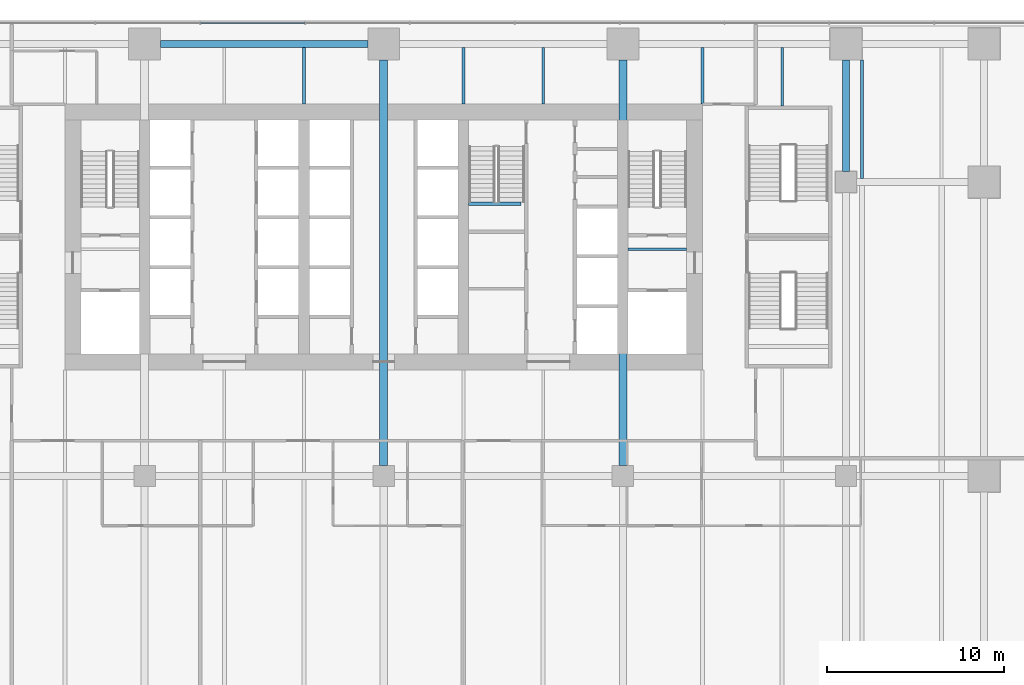
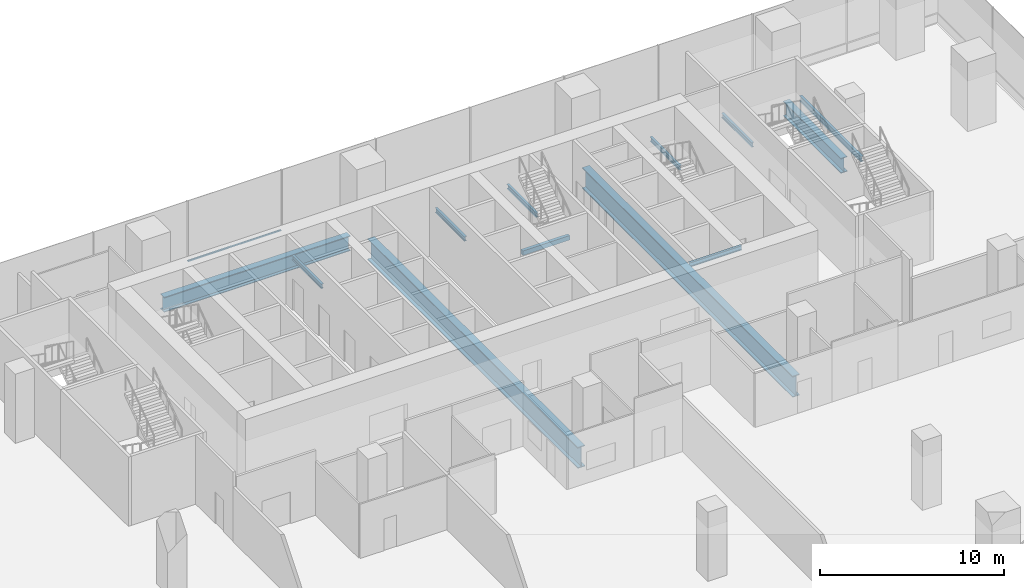
# One storey, part 12 of 29: 12 beams, 1 member, 1 element without a shape of its own.
"""IFC4 building model written with IfcOpenShell, lengths in metres."""

import ifcopenshell
import ifcopenshell.guid

model = None  # the IFC model being written
_history = None  # IfcOwnerHistory: only IFC2X3 demands one
_inside = {}  # id of a spatial element -> (the spatial element, [elements in it])
_under = {}  # id of a project, library or spatial element -> (it, [spatial elements below it])
_declared = {}  # id of a project -> (the project, [libraries it declares])
_typed = {}  # id of a type object -> (the type object, [elements of that type])
_made_of = {}  # id of a material, layer set ... -> (it, [elements and type objects made of it])


def new_model(schema):
    """Start an empty IFC model of exactly this schema.

    Asked for "IFC4X3", IfcOpenShell would pick the latest addendum, in which some entities
    have other attributes; the version numbers below select the first issue.
    IFC2X3 requires an IfcOwnerHistory on every rooted entity: one is made here for all.
    """
    global model, _history
    if schema == "IFC4X3":
        model = ifcopenshell.file(schema_version=(4, 3, 0, 0))
    else:
        model = ifcopenshell.file(schema=schema)
    _inside.clear()
    _under.clear()
    _declared.clear()
    _typed.clear()
    _made_of.clear()
    _history = None
    if model.schema == "IFC2X3":
        org = make("IfcOrganization", Name="unknown")
        user = make(
            "IfcPersonAndOrganization",
            ThePerson=make("IfcPerson", FamilyName="unknown"),
            TheOrganization=org,
        )
        app = make(
            "IfcApplication",
            ApplicationDeveloper=org,
            Version="unknown",
            ApplicationFullName="unknown",
            ApplicationIdentifier="unknown",
        )
        _history = make(
            "IfcOwnerHistory",
            OwningUser=user,
            OwningApplication=app,
            ChangeAction="ADDED",
            CreationDate=0,
        )
    return model


def make(cls, **values):
    """One entity of the class cls with the attributes given. An attribute that is None is left unset."""
    return model.create_entity(
        cls, **{name: value for name, value in values.items() if value is not None}
    )


def rooted(cls, **values):
    """An entity with a GlobalId (a new one), such as an element, a storey or a relation."""
    return make(cls, GlobalId=ifcopenshell.guid.new(), OwnerHistory=_history, **values)


def si_unit(unit_type, name, prefix=None):
    """IfcSIUnit, for example si_unit("LENGTHUNIT", "METRE", prefix="MILLI")."""
    return make("IfcSIUnit", UnitType=unit_type, Prefix=prefix, Name=name)


def assignment(units):
    """IfcUnitAssignment: the units of a project."""
    return None if units is None else make("IfcUnitAssignment", Units=units)


def point(xyz):
    """IfcCartesianPoint."""
    return None if xyz is None else make("IfcCartesianPoint", Coordinates=xyz)


def direction(xyz):
    """IfcDirection."""
    return None if xyz is None else make("IfcDirection", DirectionRatios=xyz)


def frame(location, z_axis=None, x_axis=None):
    """IfcAxis2Placement3D, a coordinate frame: its origin and axes. An axis left out is left unset."""
    return make(
        "IfcAxis2Placement3D",
        Location=point(location),
        Axis=direction(z_axis),
        RefDirection=direction(x_axis),
    )


def frame_2d(location, x_axis=None):
    """IfcAxis2Placement2D, a coordinate frame in the plane: its origin and x axis."""
    return make(
        "IfcAxis2Placement2D", Location=point(location), RefDirection=direction(x_axis)
    )


def origin():
    """The frame at (0, 0, 0) with its axes left unset."""
    return frame((0.0, 0.0, 0.0))


def origin_2d():
    """The frame at (0, 0) in the plane with its x axis left unset."""
    return frame_2d((0.0, 0.0))


def place(relative_to, where):
    """IfcLocalPlacement: puts the frame where relative to a parent placement (None: the world)."""
    return make(
        "IfcLocalPlacement", PlacementRelTo=relative_to, RelativePlacement=where
    )


def context(
    kind, dimensions, precision=None, world=None, true_north=None, identifier=None
):
    """IfcGeometricRepresentationContext, for example the 3D "Model" context."""
    return make(
        "IfcGeometricRepresentationContext",
        ContextIdentifier=identifier,
        ContextType=kind,
        CoordinateSpaceDimension=dimensions,
        Precision=precision,
        WorldCoordinateSystem=world,
        TrueNorth=true_north,
    )


def subcontext(parent, identifier, kind, view, scale=None):
    """IfcGeometricRepresentationSubContext, for example "Body" below "Model"."""
    return make(
        "IfcGeometricRepresentationSubContext",
        ContextIdentifier=identifier,
        ContextType=kind,
        ParentContext=parent,
        TargetScale=scale,
        TargetView=view,
    )


def project(units=None, contexts=None):
    """IfcProject with its units and contexts."""
    return rooted(
        "IfcProject",
        Name="project",
        RepresentationContexts=contexts,
        UnitsInContext=assignment(units),
    )


def spatial(cls, under=None, at=None, **own):
    """A site, building, storey or space (cls), placed at a placement, below another one or the project."""
    s = rooted(cls, ObjectPlacement=at, **own)
    if under is not None:
        _under.setdefault(under.id(), (under, []))[1].append(s)
    return s


def profile(cls, at=None, kind="AREA", **sizes):
    """A parametric profile (cls). Its sizes go by their IFC names, for example OverallWidth=200.0."""
    return make(cls, ProfileType=kind, Position=at, **sizes)


def rectangle(**sizes):
    """IfcRectangleProfileDef."""
    return profile("IfcRectangleProfileDef", **sizes)


def i_section(**sizes):
    """IfcIShapeProfileDef."""
    return profile("IfcIShapeProfileDef", **sizes)


def extrude(swept, where, along, depth):
    """IfcExtrudedAreaSolid: the profile swept, set in the frame where, extruded along a direction by depth."""
    return make(
        "IfcExtrudedAreaSolid",
        SweptArea=swept,
        Position=where,
        ExtrudedDirection=direction(along),
        Depth=depth,
    )


def shape(context_of_items, identifier, shape_type, items):
    """IfcShapeRepresentation: the items that make up one representation, for example the "Body"."""
    return make(
        "IfcShapeRepresentation",
        ContextOfItems=context_of_items,
        RepresentationIdentifier=identifier,
        RepresentationType=shape_type,
        Items=items,
    )


def material(Name=None, Category=None):
    """IfcMaterial."""
    return make("IfcMaterial", Name=Name, Category=Category)


def layer(
    of_material, thickness, ventilated=None, Name=None, Category=None, Priority=None
):
    """IfcMaterialLayer: one layer of a wall or slab, of a material (None: an air gap)."""
    return make(
        "IfcMaterialLayer",
        Material=of_material,
        LayerThickness=thickness,
        IsVentilated=ventilated,
        Name=Name,
        Category=Category,
        Priority=Priority,
    )


def layer_set(layers, Name=None):
    """IfcMaterialLayerSet."""
    return make("IfcMaterialLayerSet", MaterialLayers=layers, LayerSetName=Name)


def material_profile(
    of_material, cross_section, Name=None, Category=None, Priority=None
):
    """IfcMaterialProfile: a cross section and its material."""
    return make(
        "IfcMaterialProfile",
        Name=Name,
        Material=of_material,
        Profile=cross_section,
        Priority=Priority,
        Category=Category,
    )


def profile_set(profiles, Name=None, composite=None):
    """IfcMaterialProfileSet."""
    return make(
        "IfcMaterialProfileSet",
        Name=Name,
        MaterialProfiles=profiles,
        CompositeProfile=composite,
    )


def made_of(thing, what):
    """Note that an element or type object is made of a material, layer set ...; save() writes the relation."""
    if what is not None:
        _made_of.setdefault(what.id(), (what, []))[1].append(thing)
    return thing


def type_object(cls, material=None, **own):
    """A type object (cls), such as IfcWallType, which elements share."""
    return made_of(rooted(cls, **own), material)


def element(
    cls,
    number,
    at=None,
    inside=None,
    cuts=None,
    type_object=None,
    material=None,
    context=None,
    identifier="Body",
    shape_type=None,
    held_by="IfcProductDefinitionShape",
    body=None,
    shapes=None,
    **own,
):
    """One element of the class cls, such as IfcWall. Its Tag is "e" and its number.

    at: its placement. inside: the storey or other place that contains it. cuts: it is an
    opening in that element (IfcRelVoidsElement). A single representation is given by context,
    identifier, shape_type and body (its items); several are given by shapes. held_by: the class
    of the entity that holds the representations. save() writes the other relations.
    """
    e = rooted(cls, Tag="e%d" % number, ObjectPlacement=at, **own)
    if body is not None:
        shapes = [shape(context, identifier, shape_type, body)]
    if shapes is not None:
        e.Representation = make(held_by, Representations=shapes)
    if inside is not None:
        _inside.setdefault(inside.id(), (inside, []))[1].append(e)
    if cuts is not None:
        rooted(
            "IfcRelVoidsElement", RelatingBuildingElement=cuts, RelatedOpeningElement=e
        )
    if type_object is not None:
        _typed.setdefault(type_object.id(), (type_object, []))[1].append(e)
    return made_of(e, material)


def aggregate(whole, parts):
    """IfcRelAggregates: a whole, such as a stair, and the parts it consists of."""
    return rooted("IfcRelAggregates", RelatingObject=whole, RelatedObjects=parts)


def save(model, path):
    """Write the relations noted so far, then the file.

    IfcRelAggregates (storeys below a building ...), IfcRelContainedInSpatialStructure (elements
    in a storey), IfcRelDefinesByType, IfcRelAssociatesMaterial and IfcRelDeclares: one each for
    every whole, place, type object, material and project.
    """
    for whole, parts in _under.values():
        aggregate(whole, parts)
    for where, things in _inside.values():
        rooted(
            "IfcRelContainedInSpatialStructure",
            RelatedElements=things,
            RelatingStructure=where,
        )
    for kind, things in _typed.values():
        rooted("IfcRelDefinesByType", RelatedObjects=things, RelatingType=kind)
    for what, things in _made_of.values():
        rooted("IfcRelAssociatesMaterial", RelatedObjects=things, RelatingMaterial=what)
    for by, libraries in _declared.values():
        rooted("IfcRelDeclares", RelatingContext=by, RelatedDefinitions=libraries)
    model.write(path)


model = new_model("IFC4")

# Units and contexts
model_context = context("Model", 3, precision=1e-05, world=origin(), true_north=direction((0.0, 1.0)))
body_context = subcontext(model_context, "Body", "Model", "MODEL_VIEW")
ifc_project = project(units=[si_unit("LENGTHUNIT", "METRE"), si_unit("AREAUNIT", "SQUARE_METRE"), si_unit("VOLUMEUNIT", "CUBIC_METRE"), si_unit("PLANEANGLEUNIT", "RADIAN"), si_unit("MASSUNIT", "GRAM", prefix="KILO")], contexts=[model_context])

# Site, building, storey
site_placement = place(None, origin())
site = spatial("IfcSite", under=ifc_project, at=site_placement, CompositionType="ELEMENT")
building_placement = place(site_placement, origin())
building = spatial("IfcBuilding", under=site, at=building_placement, Name="Rattan Terrace Tower", CompositionType="ELEMENT")
storey_placement = place(building_placement, frame((0.0, 0.0, 12.60009765625)))
storey = spatial("IfcBuildingStorey", under=building, at=storey_placement, Name="L02", CompositionType="ELEMENT", Elevation=12.60009765625)

# Beams
ifc_material_1 = material(Name="Concrete C40/50", Category="concrete")
ifc_material_profile_1 = material_profile(ifc_material_1, rectangle(XDim=0.199951171875, YDim=0.300048828125, at=origin_2d()), Name="RC 200x300")
ifc_profile_set_1 = profile_set([ifc_material_profile_1], Name="Concrete C40/50")
beam_type_1 = type_object("IfcBeamType", Name="Core landing beam RC 200x300", PredefinedType="BEAM", material=ifc_profile_set_1)
beam_1_placement = place(storey_placement, frame((4.800048828125, 1.8798828125, 2.0498046875), z_axis=(1.0, 0.0, 0.0), x_axis=(0.0, 1.0, 0.0)))
element("IfcBeam", 1, at=beam_1_placement, inside=storey, type_object=beam_type_1, Name="st-S3-L02 landing 1 edge beam", PredefinedType="BEAM", context=body_context, shape_type="SweptSolid", body=[
    extrude(rectangle(XDim=0.199951171875, YDim=0.300048828125, at=origin_2d()), origin(), (0.0, 0.0, 1.0), 2.949951171875),
])
ifc_material_2 = material(Name="Steel S355", Category="steel")
ifc_material_profile_2 = material_profile(ifc_material_2, i_section(OverallWidth=0.14990234375, OverallDepth=0.300048828125, WebThickness=0.007080078125, FlangeThickness=0.0107421875, FilletRadius=0.014892578125, at=origin_2d()), Name="IPE 300")
ifc_profile_set_2 = profile_set([ifc_material_profile_2], Name="Steel S355")
beam_type_2 = type_object("IfcBeamType", Name="Frame floor beam IPE 300", PredefinedType="JOIST", material=ifc_profile_set_2)
for number, where, z_axis, x_axis, name in (
    (2, (13.800048828125, -0.695068359375, -0.35009765625), (1.0, 0.0, 0.0), (0.0, 1.0, 0.0), "bm-L02-002"),
    (3, (22.5, 7.39990234375, -0.35009765625), (0.0, 1.0, 0.0), (-1.0, 0.0, 0.0), "bm-L02-044"),
):
    element("IfcBeam", number, at=place(storey_placement, frame(where, z_axis=z_axis, x_axis=x_axis)), inside=storey, type_object=beam_type_2, Name=name, PredefinedType="JOIST", context=body_context, shape_type="SweptSolid", body=[
        extrude(i_section(OverallWidth=0.14990234375, OverallDepth=0.300048828125, WebThickness=0.007080078125, FlangeThickness=0.0107421875, FilletRadius=0.014892578125, at=origin_2d()), origin(), (0.0, 0.0, 1.0), 3.300048828125),
    ])
for number, where, z_axis, x_axis, name in (
    (4, (-4.5, 7.5, -0.35009765625), (0.0, 1.0, 0.0), (-1.0, 0.0, 0.0), "bm-L02-047"),
    (5, (4.5, 7.5, -0.35009765625), (0.0, 1.0, 0.0), (-1.0, 0.0, 0.0), "bm-L02-048"),
    (6, (9.0, 7.5, -0.35009765625), (0.0, 1.0, 0.0), (-1.0, 0.0, 0.0), "bm-L02-049"),
    (7, (18.0, 7.5, -0.35009765625), (0.0, 1.0, 0.0), (-1.0, 0.0, 0.0), "bm-L02-050"),
):
    element("IfcBeam", number, at=place(storey_placement, frame(where, z_axis=z_axis, x_axis=x_axis)), inside=storey, type_object=beam_type_2, Name=name, PredefinedType="JOIST", context=body_context, shape_type="SweptSolid", body=[
        extrude(i_section(OverallWidth=0.14990234375, OverallDepth=0.300048828125, WebThickness=0.007080078125, FlangeThickness=0.0107421875, FilletRadius=0.014892578125, at=origin_2d()), origin(), (0.0, 0.0, 1.0), 3.199951171875),
    ])
ifc_material_3 = material(Name="Steel S355", Category="steel")
ifc_material_profile_3 = material_profile(ifc_material_3, i_section(OverallWidth=0.169921875, OverallDepth=0.360107421875, WebThickness=0.008056640625, FlangeThickness=0.0126953125, FilletRadius=0.01806640625, at=origin_2d()), Name="IPE 360")
ifc_profile_set_3 = profile_set([ifc_material_profile_3], Name="Steel S355")
beam_type_3 = type_object("IfcBeamType", Name="Frame floor beam IPE 360", PredefinedType="JOIST", material=ifc_profile_set_3)
beam_2_placement = place(storey_placement, frame((27.0, 3.300048828125, -0.380126953125), z_axis=(0.0, 1.0, 0.0), x_axis=(-1.0, 0.0, 0.0)))
element("IfcBeam", 8, at=beam_2_placement, inside=storey, type_object=beam_type_3, Name="bm-L02-041", PredefinedType="JOIST", context=body_context, shape_type="SweptSolid", body=[
    extrude(i_section(OverallWidth=0.169921875, OverallDepth=0.360107421875, WebThickness=0.008056640625, FlangeThickness=0.0126953125, FilletRadius=0.01806640625, at=origin_2d()), origin(), (0.0, 0.0, 1.0), 6.699951171875),
])
ifc_material_4 = material(Name="Steel S460", Category="steel")
ifc_material_profile_4 = material_profile(ifc_material_4, i_section(OverallWidth=0.39990234375, OverallDepth=1.0, WebThickness=0.01806640625, FlangeThickness=0.044921875, at=origin_2d()), Name="PG 1000x400-18-45")
ifc_profile_set_4 = profile_set([ifc_material_profile_4], Name="Steel S460")
beam_type_4 = type_object("IfcBeamType", Name="Frame podium girder PG 1000x400-18-45", PredefinedType="USERDEFINED", material=ifc_profile_set_4)
beam_3_placement = place(storey_placement, frame((26.10009765625, 3.699951171875, -0.7001953125), z_axis=(0.0, 1.0, 0.0), x_axis=(-1.0, 0.0, 0.0)))
element("IfcBeam", 9, at=beam_3_placement, inside=storey, type_object=beam_type_4, Name="gdr-L02-043", ObjectType="PODIUM GIRDER", PredefinedType="USERDEFINED", context=body_context, shape_type="SweptSolid", body=[
    extrude(i_section(OverallWidth=0.39990234375, OverallDepth=1.0, WebThickness=0.01806640625, FlangeThickness=0.044921875, at=origin_2d()), origin(), (0.0, 0.0, 1.0), 6.300048828125),
])
beam_4_placement = place(storey_placement, frame((-12.60009765625, 10.89990234375, -0.7001953125), z_axis=(1.0, 0.0, 0.0), x_axis=(0.0, 1.0, 0.0)))
element("IfcBeam", 10, at=beam_4_placement, inside=storey, type_object=beam_type_4, Name="gdr-L02-048", ObjectType="PODIUM GIRDER", PredefinedType="USERDEFINED", context=body_context, shape_type="SweptSolid", body=[
    extrude(i_section(OverallWidth=0.39990234375, OverallDepth=1.0, WebThickness=0.01806640625, FlangeThickness=0.044921875, at=origin_2d()), origin(), (0.0, 0.0, 1.0), 11.7001953125),
])
ifc_material_5 = material(Name="Steel S460", Category="steel")
ifc_material_profile_5 = material_profile(ifc_material_5, i_section(OverallWidth=0.449951171875, OverallDepth=1.39990234375, WebThickness=0.02197265625, FlangeThickness=0.054931640625, at=origin_2d()), Name="PG 1400x450-22-55")
ifc_profile_set_5 = profile_set([ifc_material_profile_5], Name="Steel S460")
beam_type_5 = type_object("IfcBeamType", Name="Frame podium girder PG 1400x450-22-55", PredefinedType="USERDEFINED", material=ifc_profile_set_5)
for number, where, z_axis, x_axis, name in (
    (11, (0.0, -12.89990234375, -0.900146484375), (0.0, 1.0, 0.0), (-1.0, 0.0, 0.0), "gdr-L02-035"),
    (12, (13.5, -12.89990234375, -0.900146484375), (0.0, 1.0, 0.0), (-1.0, 0.0, 0.0), "gdr-L02-036"),
):
    element("IfcBeam", number, at=place(storey_placement, frame(where, z_axis=z_axis, x_axis=x_axis)), inside=storey, type_object=beam_type_5, Name=name, ObjectType="PODIUM GIRDER", PredefinedType="USERDEFINED", context=body_context, shape_type="SweptSolid", body=[
        extrude(i_section(OverallWidth=0.449951171875, OverallDepth=1.39990234375, WebThickness=0.02197265625, FlangeThickness=0.054931640625, at=origin_2d()), origin(), (0.0, 0.0, 1.0), 22.89990234375),
    ])

# Curtain wall, member
ifc_material_6 = material(Name="Aluminium and glass", Category="aluminium")
ifc_layer = layer(ifc_material_6, 0.1201171875)
ifc_layer_set = layer_set([ifc_layer], Name="Station Storefront Curtain Wall")
curtain_wall_type = type_object("IfcCurtainWallType", Name="Station Storefront Curtain Wall", PredefinedType="NOTDEFINED", material=ifc_layer_set)
curtain_wall_placement = place(storey_placement, origin())
curtain_wall = element("IfcCurtainWall", 13, at=curtain_wall_placement, inside=storey, type_object=curtain_wall_type, Name="Storefront curtain wall L02-2", PredefinedType="NOTDEFINED")
ifc_material_7 = material(Name="Aluminium", Category="aluminium")
ifc_material_profile_6 = material_profile(ifc_material_7, rectangle(XDim=0.10009765625, YDim=0.050048828125, at=origin_2d()), Name="Aluminium 100x50")
ifc_profile_set_6 = profile_set([ifc_material_profile_6], Name="Aluminium")
member_type = type_object("IfcMemberType", Name="Storefront CW Transom 100x50", PredefinedType="USERDEFINED", material=ifc_profile_set_6)
member_placement = place(storey_placement, frame((-4.465087890625, 12.080078125, 0.599853515625), z_axis=(-1.0, 0.0, 0.0), x_axis=(0.0, -1.0, 0.0)))
member = element("IfcMember", 14, at=member_placement, type_object=member_type, Name="Transom cwl-L02-002.8", ObjectType="TRANSOM", PredefinedType="USERDEFINED", context=body_context, shape_type="SweptSolid", body=[
    extrude(rectangle(XDim=0.10009765625, YDim=0.050048828125, at=origin_2d()), origin(), (0.0, 0.0, 1.0), 5.869873046875),
])
aggregate(curtain_wall, [member])

save(model, "model.ifc")
